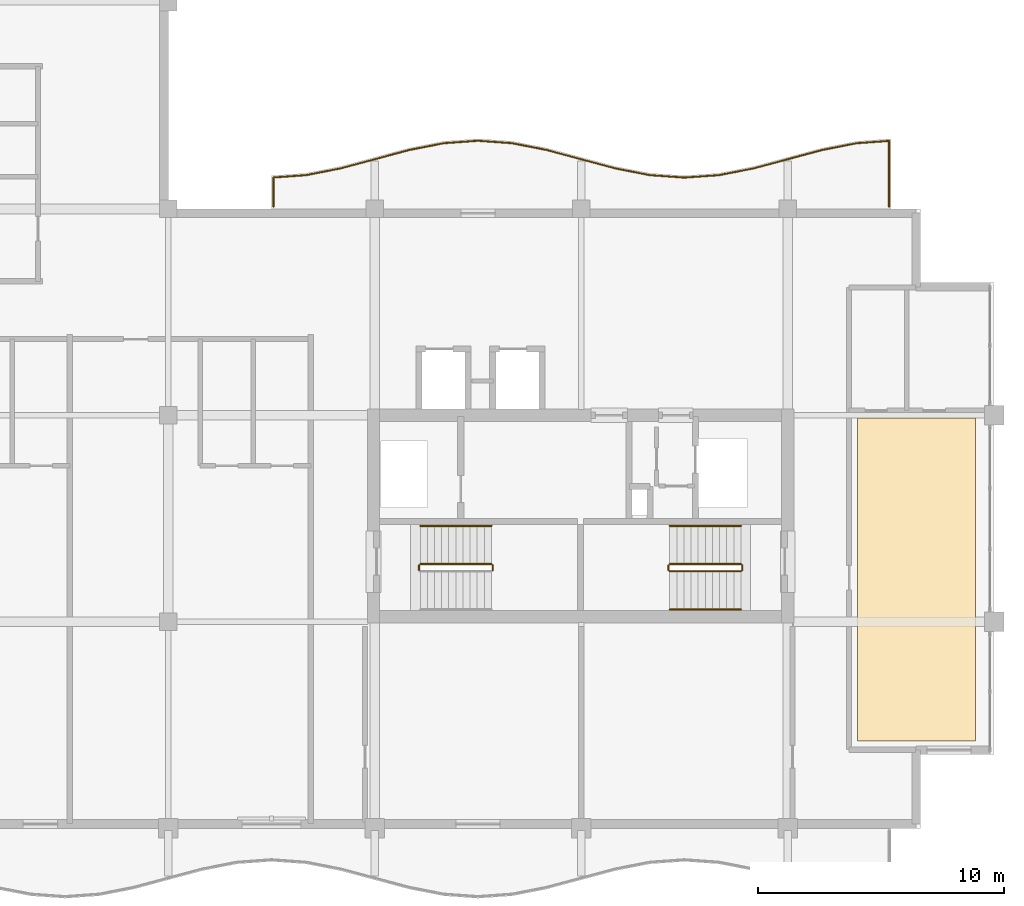
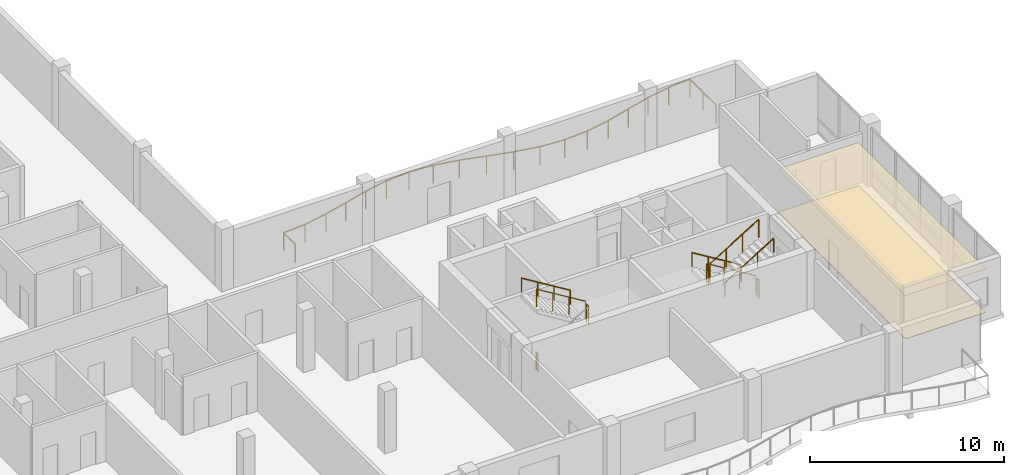
# One storey, part 13 of 14: 11 railings, 2 coverings.
"""IFC4 building model written with IfcOpenShell, lengths in metres."""

from ifc_helpers import new_model, si_unit, direction, frame, origin, origin_2d, place, context, subcontext, project, spatial, polyline, circle, outline, extrude, material, layer, layer_set, type_object, element, save


model = new_model("IFC4")

# Units and contexts
model_context = context("Model", 3, precision=1e-05, world=origin(), true_north=direction((0.0, 1.0)))
body_context = subcontext(model_context, "Body", "Model", "MODEL_VIEW")
ifc_project = project(units=[si_unit("LENGTHUNIT", "METRE"), si_unit("AREAUNIT", "SQUARE_METRE"), si_unit("VOLUMEUNIT", "CUBIC_METRE"), si_unit("PLANEANGLEUNIT", "RADIAN"), si_unit("MASSUNIT", "GRAM", prefix="KILO")], contexts=[model_context])

# Site, building, storey
site_placement = place(None, origin())
site = spatial("IfcSite", under=ifc_project, at=site_placement, CompositionType="ELEMENT")
building_placement = place(site_placement, origin())
building = spatial("IfcBuilding", under=site, at=building_placement, Name="Koriwani Terraces Tower", CompositionType="ELEMENT")
storey_placement = place(building_placement, frame((0.0, 0.0, 308.60009765625)))
storey = spatial("IfcBuildingStorey", under=building, at=storey_placement, Name="L76", CompositionType="ELEMENT", Elevation=308.60009765625)

# Coverings
ifc_material_1 = material(Name="Fire-Rated Acoustic Gypsum Partition", Category="masonry")
ifc_layer_1 = layer(ifc_material_1, 0.02490234375, Name="Fire-Rated Acoustic Gypsum Partition")
ifc_layer_set_1 = layer_set([ifc_layer_1], Name="Fire-Rated Acoustic Gypsum Partition")
covering_type_1 = type_object("IfcCoveringType", Name="CEILING_ACOUSTIC_GYPSUM", PredefinedType="CEILING", material=ifc_layer_set_1)
covering_1_placement = place(storey_placement, frame((0.0, 0.0, 2.724853515625)))
element("IfcCovering", 1, at=covering_1_placement, inside=storey, type_object=covering_type_1, Name="L76 Suspended Acoustic Gypsum Ceiling", PredefinedType="CEILING", context=body_context, shape_type="SweptSolid", body=[
    extrude(outline(polyline([(61.64990234375, 11.949951171875), (61.64990234375, 25.10009765625), (66.449951171875, 25.10009765625), (66.449951171875, 11.949951171875), (61.64990234375, 11.949951171875)])), origin(), (0.0, 0.0, 1.0), 0.025146484375),
])
ifc_material_2 = material(Name="Polished Andean Slate Flooring", Category="masonry")
ifc_layer_2 = layer(ifc_material_2, 0.030029296875, Name="Polished Andean Slate Flooring")
ifc_layer_set_2 = layer_set([ifc_layer_2], Name="Polished Andean Slate Flooring")
covering_type_2 = type_object("IfcCoveringType", Name="FLOORING_ANDEAN_STONE", PredefinedType="FLOORING", material=ifc_layer_set_2)
covering_2_placement = place(storey_placement, origin())
element("IfcCovering", 2, at=covering_2_placement, inside=storey, type_object=covering_type_2, Name="L76 Polished Andean Slate Floor Finish", PredefinedType="FLOORING", context=body_context, shape_type="SweptSolid", body=[
    extrude(outline(polyline([(61.64990234375, 11.949951171875), (61.64990234375, 25.10009765625), (66.449951171875, 25.10009765625), (66.449951171875, 11.949951171875), (61.64990234375, 11.949951171875)])), origin(), (0.0, 0.0, 1.0), 0.02978515625),
])

# Railings
ifc_material_3 = material(Name="Steel ASTM A572 Grade 50", Category="steel")
railing_type_1 = type_object("IfcRailingType", Name="GUARD_BALUSTRADE_1150", PredefinedType="BALUSTRADE", material=ifc_material_3)
railing_1_placement = place(storey_placement, frame((62.919921875, 33.679931640625, 0.0)))
element("IfcRailing", 3, at=railing_1_placement, inside=storey, type_object=railing_type_1, Name="L76 Balcony Perimeter Safety Balustrade (NE)", PredefinedType="BALUSTRADE", context=body_context, shape_type="SweptSolid", body=[
    extrude(circle(Radius=0.02392578125, at=origin_2d()), frame((0.0, 0.0, 1.1259765625), z_axis=(0.0, 1.0, 0.0), x_axis=(-1.0, 0.0, 0.0)), (0.0, 0.0, 1.0), 2.68408203125),
    extrude(circle(Radius=0.02392578125, at=origin_2d()), frame((0.0, 2.68408203125, 1.1259765625), z_axis=(-0.997433145776, -0.07160390847, 0.0), x_axis=(0.07160390847, -0.997433145776, 0.0)), (0.0, 0.0, 1.0), 1.312744140625),
    extrude(circle(Radius=0.02392578125, at=origin_2d()), frame((-1.309326171875, 2.590087890625, 1.1259765625), z_axis=(-0.981327760125, -0.192342993657, 0.0), x_axis=(0.192342993657, -0.981327760125, 0.0)), (0.0, 0.0, 1.0), 1.419189453125),
    extrude(circle(Radius=0.02392578125, at=origin_2d()), frame((-2.701904296875, 2.317138671875, 1.1259765625), z_axis=(-0.96594917914, -0.258731875344, 0.0), x_axis=(0.258731875344, -0.96594917914, 0.0)), (0.0, 0.0, 1.0), 2.898681640625),
    extrude(circle(Radius=0.02392578125, at=origin_2d()), frame((-5.501953125, 1.567138671875, 1.1259765625), z_axis=(-0.981358469957, -0.192186246762, 0.0), x_axis=(0.192186246762, -0.981358469957, 0.0)), (0.0, 0.0, 1.0), 1.434326171875),
    extrude(circle(Radius=0.02392578125, at=origin_2d()), frame((-6.909423828125, 1.29150390625, 1.1259765625), z_axis=(-0.997429695692, -0.071651951482, 0.0), x_axis=(0.071651951482, -0.997429695692, 0.0)), (0.0, 0.0, 1.0), 1.4140625),
    extrude(circle(Radius=0.02392578125, at=origin_2d()), frame((-8.31982421875, 1.190185546875, 1.1259765625), z_axis=(-0.997430581876, 0.071639614309, 0.0), x_axis=(-0.071639614309, -0.997430581876, 0.0)), (0.0, 0.0, 1.0), 1.414306640625),
    extrude(circle(Radius=0.02392578125, at=origin_2d()), frame((-9.73046875, 1.29150390625, 1.1259765625), z_axis=(-0.981358469957, 0.192186246762, 0.0), x_axis=(-0.192186246762, -0.981358469957, 0.0)), (0.0, 0.0, 1.0), 1.434326171875),
    extrude(circle(Radius=0.02392578125, at=origin_2d()), frame((-11.137939453125, 1.567138671875, 1.1259765625), z_axis=(-0.96594917914, 0.258731875344, 0.0), x_axis=(-0.258731875344, -0.96594917914, 0.0)), (0.0, 0.0, 1.0), 2.898681640625),
    extrude(circle(Radius=0.02392578125, at=origin_2d()), frame((-13.93798828125, 2.317138671875, 1.1259765625), z_axis=(-0.981327760125, 0.192342993657, 0.0), x_axis=(-0.192342993657, -0.981327760125, 0.0)), (0.0, 0.0, 1.0), 1.419189453125),
    extrude(circle(Radius=0.02392578125, at=origin_2d()), frame((-15.33056640625, 2.590087890625, 1.1259765625), z_axis=(-0.997427466293, 0.07168297904, 0.0), x_axis=(-0.07168297904, -0.997427466293, 0.0)), (0.0, 0.0, 1.0), 1.39306640625),
    extrude(circle(Radius=0.02392578125, at=origin_2d()), frame((-16.719970703125, 2.68994140625, 1.1259765625), z_axis=(-0.997427466293, -0.07168297904, 0.0), x_axis=(0.07168297904, -0.997427466293, 0.0)), (0.0, 0.0, 1.0), 1.39306640625),
    extrude(circle(Radius=0.02392578125, at=origin_2d()), frame((-18.109375, 2.590087890625, 1.1259765625), z_axis=(-0.981321393675, -0.19237547223, 0.0), x_axis=(0.19237547223, -0.981321393675, 0.0)), (0.0, 0.0, 1.0), 1.4189453125),
    extrude(circle(Radius=0.02392578125, at=origin_2d()), frame((-19.501708984375, 2.317138671875, 1.1259765625), z_axis=(-0.965954816498, -0.258710827923, 0.0), x_axis=(0.258710827923, -0.965954816498, 0.0)), (0.0, 0.0, 1.0), 2.89892578125),
    extrude(circle(Radius=0.02392578125, at=origin_2d()), frame((-22.302001953125, 1.567138671875, 1.1259765625), z_axis=(-0.981352180954, -0.192218357442, 0.0), x_axis=(0.192218357442, -0.981352180954, 0.0)), (0.0, 0.0, 1.0), 1.43408203125),
    extrude(circle(Radius=0.02392578125, at=origin_2d()), frame((-23.709228515625, 1.29150390625, 1.1259765625), z_axis=(-0.997411109522, -0.071910212079, 0.0), x_axis=(0.071910212079, -0.997411109522, 0.0)), (0.0, 0.0, 1.0), 1.334228515625),
    extrude(circle(Radius=0.02392578125, at=origin_2d()), frame((-25.0400390625, 1.195556640625, 1.1259765625), z_axis=(0.0, -1.0, 0.0), x_axis=(1.0, 0.0, 0.0)), (0.0, 0.0, 1.0), 1.195556640625),
    extrude(circle(Radius=0.02099609375, at=origin_2d()), origin(), (0.0, 0.0, 1.0), 1.101806640625),
    extrude(circle(Radius=0.02099609375, at=origin_2d()), frame((0.0, 1.342041015625, 0.0)), (0.0, 0.0, 1.0), 1.101806640625),
    extrude(circle(Radius=0.02099609375, at=origin_2d()), frame((0.0, 2.68408203125, 0.0)), (0.0, 0.0, 1.0), 1.101806640625),
    extrude(circle(Radius=0.02099609375, at=origin_2d()), frame((-1.309326171875, 2.590087890625, 0.0)), (0.0, 0.0, 1.0), 1.101806640625),
    extrude(circle(Radius=0.02099609375, at=origin_2d()), frame((-2.701904296875, 2.317138671875, 0.0)), (0.0, 0.0, 1.0), 1.101806640625),
    extrude(circle(Radius=0.02099609375, at=origin_2d()), frame((-4.10205078125, 1.942138671875, 0.0)), (0.0, 0.0, 1.0), 1.101806640625),
    extrude(circle(Radius=0.02099609375, at=origin_2d()), frame((-5.501953125, 1.567138671875, 0.0)), (0.0, 0.0, 1.0), 1.101806640625),
    extrude(circle(Radius=0.02099609375, at=origin_2d()), frame((-6.909423828125, 1.29150390625, 0.0)), (0.0, 0.0, 1.0), 1.101806640625),
    extrude(circle(Radius=0.02099609375, at=origin_2d()), frame((-8.31982421875, 1.190185546875, 0.0)), (0.0, 0.0, 1.0), 1.101806640625),
    extrude(circle(Radius=0.02099609375, at=origin_2d()), frame((-9.73046875, 1.29150390625, 0.0)), (0.0, 0.0, 1.0), 1.101806640625),
    extrude(circle(Radius=0.02099609375, at=origin_2d()), frame((-11.137939453125, 1.567138671875, 0.0)), (0.0, 0.0, 1.0), 1.101806640625),
    extrude(circle(Radius=0.02099609375, at=origin_2d()), frame((-12.5380859375, 1.942138671875, 0.0)), (0.0, 0.0, 1.0), 1.101806640625),
    extrude(circle(Radius=0.02099609375, at=origin_2d()), frame((-13.93798828125, 2.317138671875, 0.0)), (0.0, 0.0, 1.0), 1.101806640625),
    extrude(circle(Radius=0.02099609375, at=origin_2d()), frame((-15.33056640625, 2.590087890625, 0.0)), (0.0, 0.0, 1.0), 1.101806640625),
    extrude(circle(Radius=0.02099609375, at=origin_2d()), frame((-16.719970703125, 2.68994140625, 0.0)), (0.0, 0.0, 1.0), 1.101806640625),
    extrude(circle(Radius=0.02099609375, at=origin_2d()), frame((-18.109375, 2.590087890625, 0.0)), (0.0, 0.0, 1.0), 1.101806640625),
    extrude(circle(Radius=0.02099609375, at=origin_2d()), frame((-19.501708984375, 2.317138671875, 0.0)), (0.0, 0.0, 1.0), 1.101806640625),
    extrude(circle(Radius=0.02099609375, at=origin_2d()), frame((-20.90185546875, 1.942138671875, 0.0)), (0.0, 0.0, 1.0), 1.101806640625),
    extrude(circle(Radius=0.02099609375, at=origin_2d()), frame((-22.302001953125, 1.567138671875, 0.0)), (0.0, 0.0, 1.0), 1.101806640625),
    extrude(circle(Radius=0.02099609375, at=origin_2d()), frame((-23.709228515625, 1.29150390625, 0.0)), (0.0, 0.0, 1.0), 1.101806640625),
    extrude(circle(Radius=0.02099609375, at=origin_2d()), frame((-25.0400390625, 1.195556640625, 0.0)), (0.0, 0.0, 1.0), 1.101806640625),
    extrude(circle(Radius=0.02099609375, at=origin_2d()), frame((-25.0400390625, 0.0, 0.0)), (0.0, 0.0, 1.0), 1.101806640625),
])
railing_type_2 = type_object("IfcRailingType", Name="GUARD_STAIR_WELL_1120", PredefinedType="GUARDRAIL", material=ifc_material_3)
railing_2_placement = place(storey_placement, frame((46.800048828125, 18.89990234375, 1.949951171875)))
element("IfcRailing", 4, at=railing_2_placement, inside=storey, type_object=railing_type_2, Name="L76 ST-E1 stair guard 2", PredefinedType="GUARDRAIL", context=body_context, shape_type="SweptSolid", body=[
    extrude(circle(Radius=0.02392578125, at=origin_2d()), frame((0.0, 0.0, 1.1259765625), z_axis=(0.0, 1.0, 0.0), x_axis=(-1.0, 0.0, 0.0)), (0.0, 0.0, 1.0), 0.2001953125),
    extrude(circle(Radius=0.02099609375, at=origin_2d()), origin(), (0.0, 0.0, 1.0), 1.101806640625),
    extrude(circle(Radius=0.02099609375, at=origin_2d()), frame((0.0, 0.2001953125, 0.0)), (0.0, 0.0, 1.0), 1.101806640625),
])
railing_3_placement = place(storey_placement, frame((46.75, 19.14990234375, 2.127197265625)))
element("IfcRailing", 5, at=railing_3_placement, inside=storey, type_object=railing_type_2, Name="L76 ST-E1 stair guard 3", PredefinedType="GUARDRAIL", context=body_context, shape_type="SweptSolid", body=[
    extrude(circle(Radius=0.02392578125, at=origin_2d()), frame((0.0, 0.0, 1.1259765625), z_axis=(-0.853210801645, 0.0, 0.521566225858), x_axis=(0.0, -1.0, 0.0)), (0.0, 0.0, 1.0), 3.39892578125),
    extrude(circle(Radius=0.02099609375, at=origin_2d()), origin(), (0.0, 0.0, 1.0), 1.101806640625),
    extrude(circle(Radius=0.02099609375, at=origin_2d()), frame((-0.966552734375, 0.0, 0.5908203125)), (0.0, 0.0, 1.0), 1.101806640625),
    extrude(circle(Radius=0.02099609375, at=origin_2d()), frame((-1.933349609375, 0.0, 1.181884765625)), (0.0, 0.0, 1.0), 1.101806640625),
    extrude(circle(Radius=0.02099609375, at=origin_2d()), frame((-2.89990234375, 0.0, 1.772705078125)), (0.0, 0.0, 1.0), 1.101806640625),
])
railing_4_placement = place(storey_placement, frame((43.800048828125, 18.89990234375, 0.0)))
element("IfcRailing", 6, at=railing_4_placement, inside=storey, type_object=railing_type_2, Name="L76 ST-E1 stair guard 4", PredefinedType="GUARDRAIL", context=body_context, shape_type="SweptSolid", body=[
    extrude(circle(Radius=0.02392578125, at=origin_2d()), frame((0.0, 0.0, 1.1259765625), z_axis=(0.0, 1.0, 0.0), x_axis=(-1.0, 0.0, 0.0)), (0.0, 0.0, 1.0), 0.2001953125),
    extrude(circle(Radius=0.02099609375, at=origin_2d()), origin(), (0.0, 0.0, 1.0), 1.101806640625),
    extrude(circle(Radius=0.02099609375, at=origin_2d()), frame((0.0, 0.2001953125, 0.0)), (0.0, 0.0, 1.0), 1.101806640625),
])
railing_5_placement = place(storey_placement, frame((56.89990234375, 19.14990234375, 0.17724609375)))
element("IfcRailing", 7, at=railing_5_placement, inside=storey, type_object=railing_type_2, Name="L76 ST-E2 stair guard 1", PredefinedType="GUARDRAIL", context=body_context, shape_type="SweptSolid", body=[
    extrude(circle(Radius=0.02392578125, at=origin_2d()), frame((0.0, 0.0, 1.1259765625), z_axis=(-0.853210801645, 0.0, 0.521566225858), x_axis=(0.0, -1.0, 0.0)), (0.0, 0.0, 1.0), 3.39892578125),
    extrude(circle(Radius=0.02099609375, at=origin_2d()), origin(), (0.0, 0.0, 1.0), 1.101806640625),
    extrude(circle(Radius=0.02099609375, at=origin_2d()), frame((-0.966552734375, 0.0, 0.5908203125)), (0.0, 0.0, 1.0), 1.101806640625),
    extrude(circle(Radius=0.02099609375, at=origin_2d()), frame((-1.933349609375, 0.0, 1.181884765625)), (0.0, 0.0, 1.0), 1.101806640625),
    extrude(circle(Radius=0.02099609375, at=origin_2d()), frame((-2.89990234375, 0.0, 1.772705078125)), (0.0, 0.0, 1.0), 1.101806640625),
])
railing_6_placement = place(storey_placement, frame((53.949951171875, 19.10009765625, 1.949951171875)))
element("IfcRailing", 8, at=railing_6_placement, inside=storey, type_object=railing_type_2, Name="L76 ST-E2 stair guard 2", PredefinedType="GUARDRAIL", context=body_context, shape_type="SweptSolid", body=[
    extrude(circle(Radius=0.02392578125, at=origin_2d()), frame((0.0, 0.0, 1.1259765625), z_axis=(0.0, -1.0, 0.0), x_axis=(1.0, 0.0, 0.0)), (0.0, 0.0, 1.0), 0.2001953125),
    extrude(circle(Radius=0.02099609375, at=origin_2d()), origin(), (0.0, 0.0, 1.0), 1.101806640625),
    extrude(circle(Radius=0.02099609375, at=origin_2d()), frame((0.0, -0.2001953125, 0.0)), (0.0, 0.0, 1.0), 1.101806640625),
])
railing_7_placement = place(storey_placement, frame((54.0, 18.85009765625, 2.127197265625)))
element("IfcRailing", 9, at=railing_7_placement, inside=storey, type_object=railing_type_2, Name="L76 ST-E2 stair guard 3", PredefinedType="GUARDRAIL", context=body_context, shape_type="SweptSolid", body=[
    extrude(circle(Radius=0.02392578125, at=origin_2d()), frame((0.0, 0.0, 1.1259765625), z_axis=(0.853210801645, 0.0, 0.521566225858), x_axis=(0.0, 1.0, 0.0)), (0.0, 0.0, 1.0), 3.39892578125),
    extrude(circle(Radius=0.02099609375, at=origin_2d()), origin(), (0.0, 0.0, 1.0), 1.101806640625),
    extrude(circle(Radius=0.02099609375, at=origin_2d()), frame((0.966552734375, 0.0, 0.5908203125)), (0.0, 0.0, 1.0), 1.101806640625),
    extrude(circle(Radius=0.02099609375, at=origin_2d()), frame((1.933349609375, 0.0, 1.181884765625)), (0.0, 0.0, 1.0), 1.101806640625),
    extrude(circle(Radius=0.02099609375, at=origin_2d()), frame((2.89990234375, 0.0, 1.772705078125)), (0.0, 0.0, 1.0), 1.101806640625),
])
railing_8_placement = place(storey_placement, frame((56.949951171875, 19.10009765625, 0.0)))
element("IfcRailing", 10, at=railing_8_placement, inside=storey, type_object=railing_type_2, Name="L76 ST-E2 stair guard 4", PredefinedType="GUARDRAIL", context=body_context, shape_type="SweptSolid", body=[
    extrude(circle(Radius=0.02392578125, at=origin_2d()), frame((0.0, 0.0, 1.1259765625), z_axis=(0.0, -1.0, 0.0), x_axis=(1.0, 0.0, 0.0)), (0.0, 0.0, 1.0), 0.2001953125),
    extrude(circle(Radius=0.02099609375, at=origin_2d()), origin(), (0.0, 0.0, 1.0), 1.101806640625),
    extrude(circle(Radius=0.02099609375, at=origin_2d()), frame((0.0, -0.2001953125, 0.0)), (0.0, 0.0, 1.0), 1.101806640625),
])
railing_type_3 = type_object("IfcRailingType", Name="HANDRAIL_STAIR_920", PredefinedType="HANDRAIL", material=ifc_material_3)
for number, where, name in (
    (11, (46.75, 20.699951171875, 2.127197265625), "L76 ST-E1 stair handrail 2"),
    (12, (56.89990234375, 20.699951171875, 0.17724609375), "L76 ST-E2 stair handrail 1"),
):
    element("IfcRailing", number, at=place(storey_placement, frame(where)), inside=storey, type_object=railing_type_3, Name=name, PredefinedType="HANDRAIL", context=body_context, shape_type="SweptSolid", body=[
        extrude(circle(Radius=0.02392578125, at=origin_2d()), frame((0.0, 0.0, 0.8759765625), z_axis=(-0.853210801645, 0.0, 0.521566225858), x_axis=(0.0, -1.0, 0.0)), (0.0, 0.0, 1.0), 3.39892578125),
        extrude(circle(Radius=0.02099609375, at=origin_2d()), origin(), (0.0, 0.0, 1.0), 0.851806640625),
        extrude(circle(Radius=0.02099609375, at=origin_2d()), frame((-0.966552734375, 0.0, 0.5908203125)), (0.0, 0.0, 1.0), 0.851806640625),
        extrude(circle(Radius=0.02099609375, at=origin_2d()), frame((-1.933349609375, 0.0, 1.181884765625)), (0.0, 0.0, 1.0), 0.851806640625),
        extrude(circle(Radius=0.02099609375, at=origin_2d()), frame((-2.89990234375, 0.0, 1.772705078125)), (0.0, 0.0, 1.0), 0.851806640625),
    ])
railing_9_placement = place(storey_placement, frame((54.0, 17.300048828125, 2.127197265625)))
element("IfcRailing", 13, at=railing_9_placement, inside=storey, type_object=railing_type_3, Name="L76 ST-E2 stair handrail 2", PredefinedType="HANDRAIL", context=body_context, shape_type="SweptSolid", body=[
    extrude(circle(Radius=0.02392578125, at=origin_2d()), frame((0.0, 0.0, 0.8759765625), z_axis=(0.853210801645, 0.0, 0.521566225858), x_axis=(0.0, 1.0, 0.0)), (0.0, 0.0, 1.0), 3.39892578125),
    extrude(circle(Radius=0.02099609375, at=origin_2d()), origin(), (0.0, 0.0, 1.0), 0.851806640625),
    extrude(circle(Radius=0.02099609375, at=origin_2d()), frame((0.966552734375, 0.0, 0.5908203125)), (0.0, 0.0, 1.0), 0.851806640625),
    extrude(circle(Radius=0.02099609375, at=origin_2d()), frame((1.933349609375, 0.0, 1.181884765625)), (0.0, 0.0, 1.0), 0.851806640625),
    extrude(circle(Radius=0.02099609375, at=origin_2d()), frame((2.89990234375, 0.0, 1.772705078125)), (0.0, 0.0, 1.0), 0.851806640625),
])

save(model, "model.ifc")
